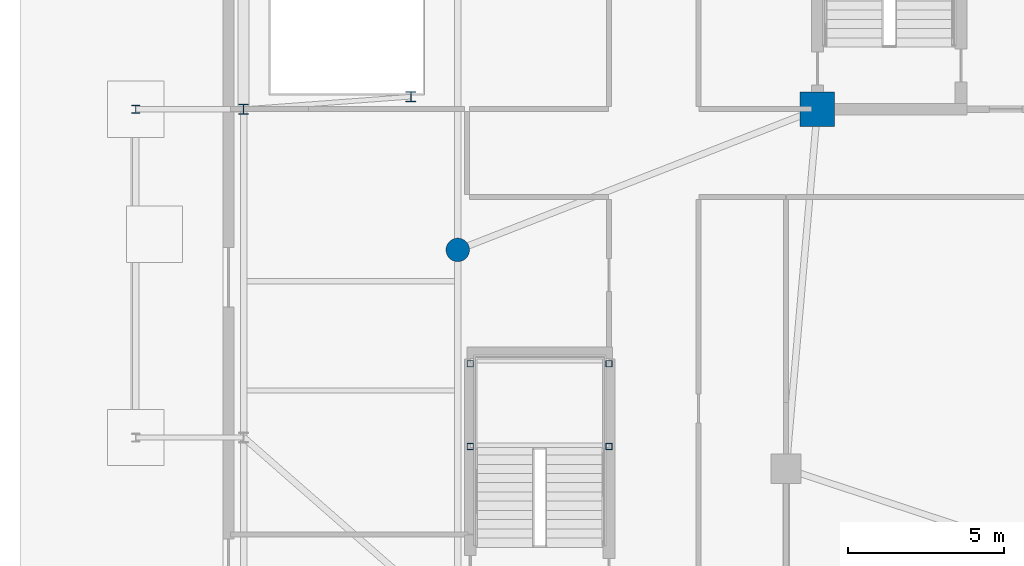
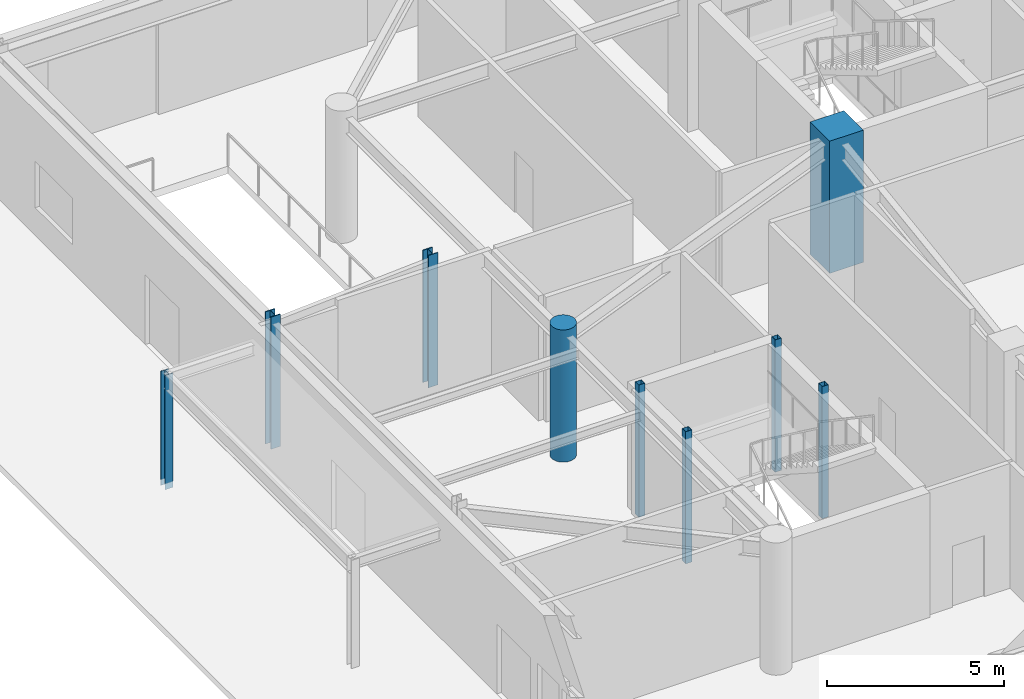
# One storey, part 3 of 29: 9 columns.
"""IFC4 building model written with IfcOpenShell, lengths in metres."""

from ifc_helpers import new_model, si_unit, direction, frame, origin, origin_2d, place, context, subcontext, project, spatial, rectangle, hollow_rectangle, circle, i_section, extrude, source, transform, mapped, material, material_profile, profile_set, type_object, element, save


model = new_model("IFC4")

# Units and contexts
model_context = context("Model", 3, precision=1e-05, world=origin(), true_north=direction((0.0, 1.0)))
body_context = subcontext(model_context, "Body", "Model", "MODEL_VIEW")
ifc_project = project(units=[si_unit("LENGTHUNIT", "METRE"), si_unit("AREAUNIT", "SQUARE_METRE"), si_unit("VOLUMEUNIT", "CUBIC_METRE"), si_unit("PLANEANGLEUNIT", "RADIAN"), si_unit("MASSUNIT", "GRAM", prefix="KILO")], contexts=[model_context])

# Site, building, storey
site_placement = place(None, origin())
site = spatial("IfcSite", under=ifc_project, at=site_placement, CompositionType="ELEMENT")
building_placement = place(site_placement, origin())
building = spatial("IfcBuilding", under=site, at=building_placement, Name="Taldren Reach Tower", CompositionType="ELEMENT")
storey_placement = place(building_placement, origin())
storey = spatial("IfcBuildingStorey", under=building, at=storey_placement, Name="L00", CompositionType="ELEMENT", Elevation=0.0)

# Columns
ifc_material_1 = material(Name="Steel Gr 350 (350PLUS)", Category="steel")
ifc_material_profile_1 = material_profile(ifc_material_1, i_section(OverallWidth=0.256103515625, OverallDepth=0.260009765625, WebThickness=0.010498046875, FlangeThickness=0.017333984375, at=origin_2d()), Name="250UC89.5")
ifc_profile_set_1 = profile_set([ifc_material_profile_1], Name="Steel Gr 350 (350PLUS)")
column_type_1 = type_object("IfcColumnType", Name="COL-UC250", PredefinedType="COLUMN", material=ifc_profile_set_1)
shared_shape_1 = source(origin(), body_context, "Body", "SweptSolid", [
    extrude(i_section(OverallWidth=0.256103515625, OverallDepth=0.260009765625, WebThickness=0.010498046875, FlangeThickness=0.017333984375, at=origin_2d()), origin(), (0.0, 0.0, 1.0), 3.929931640625),
])
column_1_placement = place(storey_placement, frame((-2.800048828125, 24.0, -0.2099609375), z_axis=(0.0, 0.0, 1.0), x_axis=(1.0, 0.0, 0.0)))
element("IfcColumn", 1, at=column_1_placement, inside=storey, type_object=column_type_1, Name="Canopy support post COL-CAN-6", PredefinedType="COLUMN", context=body_context, shape_type="MappedRepresentation", body=[
    mapped(shared_shape_1, transform((0.0, 0.0, 0.0), scale=1.0)),
])
ifc_material_2 = material(Name="Concrete S100 (100 MPa)", Category="concrete")
ifc_material_profile_2 = material_profile(ifc_material_2, rectangle(XDim=1.10009765625, YDim=1.10009765625, at=origin_2d()), Name="RC-1100x1100")
ifc_profile_set_2 = profile_set([ifc_material_profile_2], Name="Concrete S100 (100 MPa)")
column_type_2 = type_object("IfcColumnType", Name="COL-RC1100", PredefinedType="COLUMN", material=ifc_profile_set_2)
shared_shape_2 = source(origin(), body_context, "Body", "SweptSolid", [
    extrude(rectangle(XDim=1.10009765625, YDim=1.10009765625, at=origin_2d()), origin(), (0.0, 0.0, 1.0), 4.550048828125),
])
column_2_placement = place(storey_placement, frame((19.0, 24.0, 0.0), z_axis=(0.0, 0.0, 1.0), x_axis=(1.0, 0.0, 0.0)))
element("IfcColumn", 2, at=column_2_placement, inside=storey, type_object=column_type_2, Name="Mega column MC-C1 L00", PredefinedType="COLUMN", context=body_context, shape_type="MappedRepresentation", body=[
    mapped(shared_shape_2, transform((0.0, 0.0, 0.0), scale=1.0)),
])
ifc_material_3 = material(Name="Concrete S65 (65 MPa)", Category="concrete")
ifc_material_profile_3 = material_profile(ifc_material_3, circle(Radius=0.375, at=origin_2d()), Name="RC-750D")
ifc_profile_set_3 = profile_set([ifc_material_profile_3], Name="Concrete S65 (65 MPa)")
column_type_3 = type_object("IfcColumnType", Name="COL-RCD750", PredefinedType="COLUMN", material=ifc_profile_set_3)
shared_shape_3 = source(origin(), body_context, "Body", "SweptSolid", [
    extrude(circle(Radius=0.375, at=origin_2d()), origin(), (0.0, 0.0, 1.0), 4.550048828125),
])
column_3_placement = place(storey_placement, frame((7.5, 19.5, 0.0), z_axis=(0.0, 0.0, 1.0), x_axis=(1.0, 0.0, 0.0)))
element("IfcColumn", 3, at=column_3_placement, inside=storey, type_object=column_type_3, Name="Podium structural column PG-2 L00", PredefinedType="COLUMN", context=body_context, shape_type="MappedRepresentation", body=[
    mapped(shared_shape_3, transform((0.0, 0.0, 0.0), scale=1.0)),
])
ifc_material_profile_4 = material_profile(ifc_material_1, i_section(OverallWidth=0.31103515625, OverallDepth=0.326904296875, WebThickness=0.015625, FlangeThickness=0.02490234375, at=origin_2d()), Name="310UC158")
ifc_profile_set_4 = profile_set([ifc_material_profile_4], Name="Steel Gr 350 (350PLUS)")
column_type_4 = type_object("IfcColumnType", Name="COL-UC310A", PredefinedType="COLUMN", material=ifc_profile_set_4)
shared_shape_4 = source(origin(), body_context, "Body", "SweptSolid", [
    extrude(i_section(OverallWidth=0.31103515625, OverallDepth=0.326904296875, WebThickness=0.015625, FlangeThickness=0.02490234375, at=origin_2d()), origin(), (0.0, 0.0, 1.0), 4.550048828125),
])
for number, where, z_axis, x_axis, name in (
    (4, (0.64990234375, 24.0, 0.0), (0.0, 0.0, 1.0), (1.0, 0.0, 0.0), "Podium structural column PP-W3 L00"),
    (5, (6.0, 24.39990234375, 0.0), (0.0, 0.0, 1.0), (1.0, 0.0, 0.0), "Podium structural column PG-RMP L00"),
):
    element("IfcColumn", number, at=place(storey_placement, frame(where, z_axis=z_axis, x_axis=x_axis)), inside=storey, type_object=column_type_4, Name=name, PredefinedType="COLUMN", context=body_context, shape_type="MappedRepresentation", body=[
        mapped(shared_shape_4, transform((0.0, 0.0, 0.0), scale=1.0)),
    ])
ifc_material_4 = material(Name="Steel Gr 350 (C350L0)", Category="steel")
ifc_material_profile_5 = material_profile(ifc_material_4, hollow_rectangle(XDim=0.199951171875, YDim=0.199951171875, WallThickness=0.009033203125, at=origin_2d()), Name="200x200x9.0SHS")
ifc_profile_set_5 = profile_set([ifc_material_profile_5], Name="Steel Gr 350 (C350L0)")
column_type_5 = type_object("IfcColumnType", Name="COL-SHS200", PredefinedType="COLUMN", material=ifc_profile_set_5)
shared_shape_5 = source(origin(), body_context, "Body", "SweptSolid", [
    extrude(hollow_rectangle(XDim=0.199951171875, YDim=0.199951171875, WallThickness=0.009033203125, at=origin_2d()), origin(), (0.0, 0.0, 1.0), 4.550048828125),
])
for number, where, z_axis, x_axis, name in (
    (6, (7.89990234375, 13.215087890625, 0.0), (0.0, 0.0, 1.0), (1.0, 0.0, 0.0), "Podium stair ST3 structural post 1 L00"),
    (7, (12.340087890625, 13.215087890625, 0.0), (0.0, 0.0, 1.0), (1.0, 0.0, 0.0), "Podium stair ST3 structural post 2 L00"),
    (8, (7.89990234375, 15.860107421875, 0.0), (0.0, 0.0, 1.0), (1.0, 0.0, 0.0), "Podium stair ST3 structural post 3 L00"),
    (9, (12.340087890625, 15.860107421875, 0.0), (0.0, 0.0, 1.0), (1.0, 0.0, 0.0), "Podium stair ST3 structural post 4 L00"),
):
    element("IfcColumn", number, at=place(storey_placement, frame(where, z_axis=z_axis, x_axis=x_axis)), inside=storey, type_object=column_type_5, Name=name, PredefinedType="COLUMN", context=body_context, shape_type="MappedRepresentation", body=[
        mapped(shared_shape_5, transform((0.0, 0.0, 0.0), scale=1.0)),
    ])

save(model, "model.ifc")
